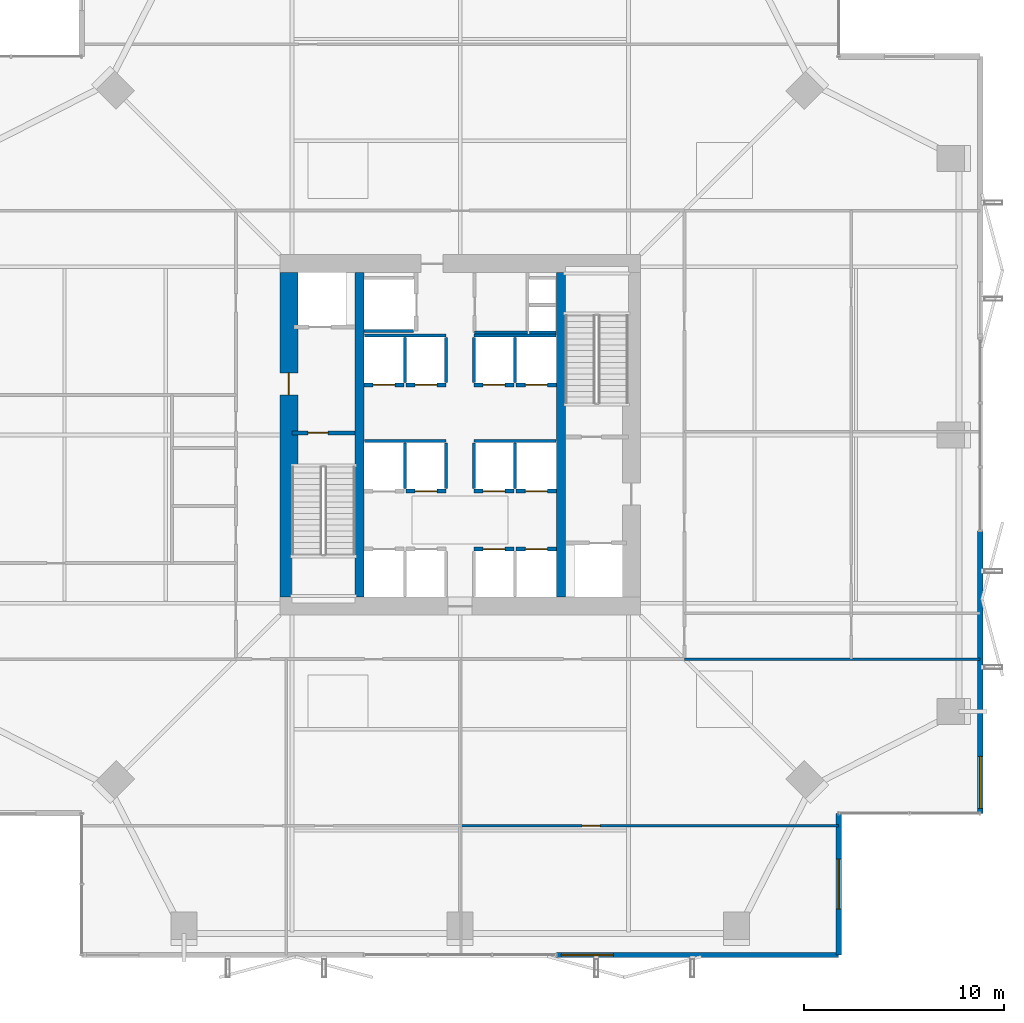
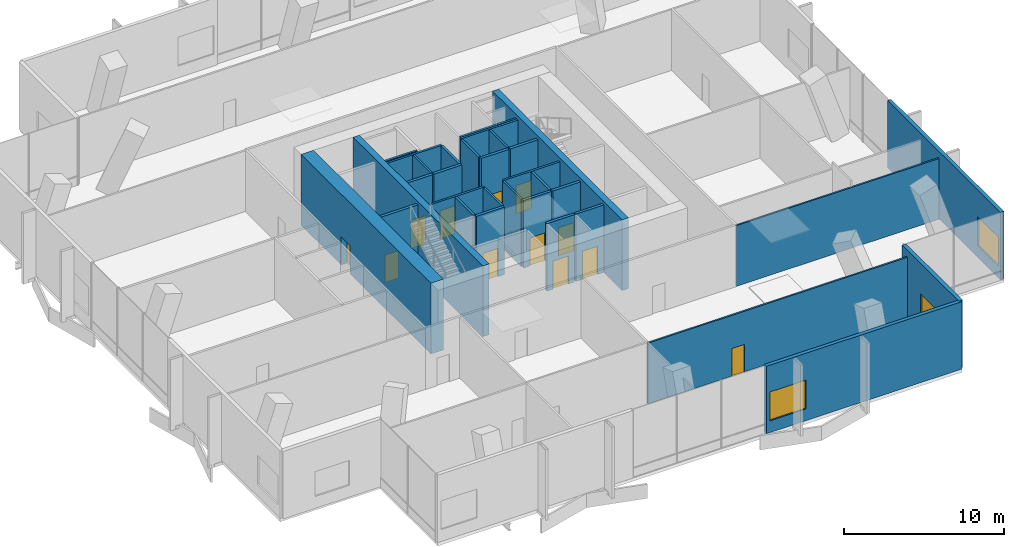
# One storey, part 25 of 28: 33 walls, 12 doors, 3 windows, 15 openings.
"""IFC4 building model written with IfcOpenShell, lengths in metres."""

from ifc_helpers import new_model, si_unit, direction, frame, frame_2d, origin, place, context, subcontext, project, spatial, rectangle, extrude, material, layer, layer_set, type_object, element, fill, save


model = new_model("IFC4")

# Units and contexts
model_context = context("Model", 3, precision=1e-05, world=origin(), true_north=direction((0.0, 1.0)))
body_context = subcontext(model_context, "Body", "Model", "MODEL_VIEW")
ifc_project = project(units=[si_unit("LENGTHUNIT", "METRE"), si_unit("AREAUNIT", "SQUARE_METRE"), si_unit("VOLUMEUNIT", "CUBIC_METRE"), si_unit("PLANEANGLEUNIT", "RADIAN"), si_unit("MASSUNIT", "GRAM", prefix="KILO")], contexts=[model_context])

# Site, building, storey
site_placement = place(None, origin())
site = spatial("IfcSite", under=ifc_project, at=site_placement, CompositionType="ELEMENT")
building_placement = place(site_placement, origin())
building = spatial("IfcBuilding", under=site, at=building_placement, Name="Belovzor Exchange Tower", CompositionType="ELEMENT")
storey_placement = place(building_placement, frame((0.0, 0.0, 132.89990234375)))
storey = spatial("IfcBuildingStorey", under=building, at=storey_placement, Name="L32", CompositionType="ELEMENT", Elevation=132.89990234375)

# Wall, opening, door
ifc_material_1 = material(Name="Acoustic Plasterboard on Galvanised Studs", Category="gypsum")
ifc_layer_1 = layer(ifc_material_1, 0.1201171875)
ifc_layer_set_1 = layer_set([ifc_layer_1], Name="Acoustic Plasterboard on Galvanised Studs")
wall_type_1 = type_object("IfcWallType", Name="Acoustic Double-Stud Partition Wall 120", PredefinedType="PARTITIONING", material=ifc_layer_set_1)
wall_1_placement = place(storey_placement, frame((28.839111328125, 9.280029296875, 0.0), z_axis=(0.0, 0.0, 1.0), x_axis=(1.0, 0.0, 0.0)))
wall_1 = element("IfcWall", 1, at=wall_1_placement, inside=storey, type_object=wall_type_1, Name="W-P120 Partition Wall W-L32-SHDIV-2", PredefinedType="PARTITIONING", context=body_context, shape_type="SweptSolid", body=[
    extrude(rectangle(XDim=18.86083984375, YDim=0.1201171875, at=frame_2d((9.430419921875, 0.0))), origin(), (0.0, 0.0, 1.0), 4.630126953125),
])
opening_1_placement = place(wall_1_placement, frame((6.053955078125, 0.0, 0.0)))
opening_1 = element("IfcOpeningElement", 2, at=opening_1_placement, cuts=wall_1, Name="Opening D-INT-090", PredefinedType="OPENING", context=body_context, shape_type="SweptSolid", body=[
    extrude(rectangle(XDim=0.89990234375, YDim=2.10009765625, at=frame_2d((0.449951171875, 1.050048828125))), frame((0.0, 0.070068359375, 0.0), z_axis=(0.0, -1.0, 0.0), x_axis=(1.0, 0.0, 0.0)), (0.0, 0.0, 1.0), 0.14013671875),
])
ifc_material_2 = material(Name="Veneered Hardwood Acoustic Leaf", Category="wood")
door_type_1 = type_object("IfcDoorType", Name="Trading Suite Acoustic Single Door 900x2100", OperationType="NOTDEFINED", PredefinedType="DOOR", material=ifc_material_2)
door_1_placement = place(opening_1_placement, origin())
door_1 = element("IfcDoor", 3, at=door_1_placement, inside=storey, type_object=door_type_1, Name="D-INT-090 Trading Suite Acoustic Single Door 900x2100", OperationType="SINGLE_SWING_LEFT", OverallHeight=2.10009765625, OverallWidth=0.89990234375, PredefinedType="DOOR", context=body_context, shape_type="SweptSolid", body=[
    extrude(rectangle(XDim=0.89990234375, YDim=2.10009765625, at=frame_2d((0.449951171875, 1.050048828125))), frame((0.0, 0.02490234375, 0.0), z_axis=(0.0, -1.0, 0.0), x_axis=(1.0, 0.0, 0.0)), (0.0, 0.0, 1.0), 0.050048828125),
])
fill(opening_1, door_1)

# Walls
wall_2_placement = place(storey_placement, frame((40.0, 17.60009765625, 0.0), z_axis=(0.0, 0.0, 1.0), x_axis=(1.0, 0.0, 0.0)))
element("IfcWall", 4, at=wall_2_placement, inside=storey, type_object=wall_type_1, Name="W-P120 Partition Wall W-L32-END-SE", PredefinedType="PARTITIONING", context=body_context, shape_type="SweptSolid", body=[
    extrude(rectangle(XDim=14.77001953125, YDim=0.1201171875, at=frame_2d((7.385009765625, 0.0))), origin(), (0.0, 0.0, 1.0), 4.630126953125),
])
ifc_material_3 = material(Name="Fire-Rated Gypsum Block and Mineral Wool", Category="gypsum")
ifc_layer_2 = layer(ifc_material_3, 0.14990234375)
ifc_layer_set_2 = layer_set([ifc_layer_2], Name="Fire-Rated Gypsum Block and Mineral Wool")
wall_type_2 = type_object("IfcWallType", Name="Fire-Rated Gypsum Block Corridor Wall 150", PredefinedType="PARTITIONING", material=ifc_layer_set_2)
wall_3_placement = place(storey_placement, frame((29.52490234375, 33.925048828125, 0.0), z_axis=(0.0, 0.0, 1.0), x_axis=(1.0, 0.0, 0.0)))
element("IfcWall", 5, at=wall_3_placement, inside=storey, type_object=wall_type_2, Name="W-P150 Partition Wall W-CRV-L32-S", PredefinedType="PARTITIONING", context=body_context, shape_type="SweptSolid", body=[
    extrude(rectangle(XDim=2.625, YDim=0.14990234375, at=frame_2d((1.3125, 0.0))), origin(), (0.0, 0.0, 1.0), 5.14501953125),
])

# Wall, opening, window
ifc_material_4 = material(Name="Precast concrete C40/50", Category="concrete")
ifc_layer_3 = layer(ifc_material_4, 0.280029296875)
ifc_layer_set_3 = layer_set([ifc_layer_3], Name="Precast concrete C40/50")
wall_type_3 = type_object("IfcWallType", Name="Precast Concrete Notched Corner Frame Wall 280", PredefinedType="SOLIDWALL", material=ifc_layer_set_3)
wall_4_placement = place(storey_placement, frame((47.699951171875, 9.89990234375, 0.0), z_axis=(0.0, 0.0, 1.0), x_axis=(0.0, -1.0, 0.0)))
wall_4 = element("IfcWall", 6, at=wall_4_placement, inside=storey, type_object=wall_type_3, Name="W-CRN280 Precast Concrete Notched Corner Frame Wall 280 L32", PredefinedType="SOLIDWALL", context=body_context, shape_type="SweptSolid", body=[
    extrude(rectangle(XDim=7.06982421875, YDim=0.280029296875, at=frame_2d((3.534912109375, 0.0))), origin(), (0.0, 0.0, 1.0), 5.14501953125),
])
opening_2_placement = place(wall_4_placement, frame((2.284912109375, 0.0, 0.89990234375)))
opening_2 = element("IfcOpeningElement", 7, at=opening_2_placement, cuts=wall_4, Name="Opening WN-CRN250", PredefinedType="OPENING", context=body_context, shape_type="SweptSolid", body=[
    extrude(rectangle(XDim=2.5, YDim=1.89990234375, at=frame_2d((1.25, 0.949951171875))), frame((0.0, 0.14990234375, 0.0), z_axis=(0.0, -1.0, 0.0), x_axis=(1.0, 0.0, 0.0)), (0.0, 0.0, 1.0), 0.300048828125),
])
ifc_material_5 = material(Name="Thermally Broken Aluminium and Triple Glazing", Category="aluminium")
window_type_1 = type_object("IfcWindowType", Name="Streamline Moderne Corner Wrap Ribbon Window 2500x1900", PartitioningType="SINGLE_PANEL", PredefinedType="WINDOW", material=ifc_material_5)
window_1_placement = place(opening_2_placement, origin())
window_1 = element("IfcWindow", 8, at=window_1_placement, inside=storey, type_object=window_type_1, Name="WN-CRN250 Streamline Moderne Corner Wrap Ribbon Window 2500x1900", OverallHeight=1.89990234375, OverallWidth=2.5, PartitioningType="SINGLE_PANEL", PredefinedType="WINDOW", context=body_context, shape_type="SweptSolid", body=[
    extrude(rectangle(XDim=2.5, YDim=1.89990234375, at=frame_2d((1.25, 0.949951171875))), frame((0.0, 0.030029296875, 0.0), z_axis=(0.0, -1.0, 0.0), x_axis=(1.0, 0.0, 0.0)), (0.0, 0.0, 1.0), 0.06005859375),
])
fill(opening_2, window_1)

ifc_material_6 = material(Name="Precast concrete C40/50", Category="concrete")
ifc_layer_4 = layer(ifc_material_6, 0.260009765625)
ifc_layer_set_4 = layer_set([ifc_layer_4], Name="Precast concrete C40/50")
wall_type_4 = type_object("IfcWallType", Name="Precast Concrete Perimeter Loggia Frame Wall 260", PredefinedType="SOLIDWALL", material=ifc_layer_set_4)
wall_5_placement = place(storey_placement, frame((47.699951171875, 2.830078125, 0.0), z_axis=(0.0, 0.0, 1.0), x_axis=(-1.0, 0.0, 0.0)))
wall_5 = element("IfcWall", 9, at=wall_5_placement, inside=storey, type_object=wall_type_4, Name="W-EXT260 Precast Concrete Perimeter Loggia Frame Wall 260 L32", PredefinedType="SOLIDWALL", context=body_context, shape_type="SweptSolid", body=[
    extrude(rectangle(XDim=14.099853515625, YDim=0.260009765625, at=frame_2d((7.0498046875, 0.0))), origin(), (0.0, 0.0, 1.0), 5.14501953125),
])
opening_3_placement = place(wall_5_placement, frame((11.25, 0.0, 0.89990234375)))
opening_3 = element("IfcOpeningElement", 10, at=opening_3_placement, cuts=wall_5, Name="Opening WN-LOG260", PredefinedType="OPENING", context=body_context, shape_type="SweptSolid", body=[
    extrude(rectangle(XDim=2.60009765625, YDim=2.199951171875, at=frame_2d((1.300048828125, 1.10009765625))), frame((0.0, 0.139892578125, 0.0), z_axis=(0.0, -1.0, 0.0), x_axis=(1.0, 0.0, 0.0)), (0.0, 0.0, 1.0), 0.280029296875),
])
ifc_material_7 = material(Name="Thermally Broken Aluminium and Triple Glazing", Category="aluminium")
window_type_2 = type_object("IfcWindowType", Name="Sky-Lobby Panoramic Window 2600x2200", PartitioningType="SINGLE_PANEL", PredefinedType="WINDOW", material=ifc_material_7)
window_2_placement = place(opening_3_placement, origin())
window_2 = element("IfcWindow", 11, at=window_2_placement, inside=storey, type_object=window_type_2, Name="WN-LOG260 Sky-Lobby Panoramic Window 2600x2200", OverallHeight=2.199951171875, OverallWidth=2.60009765625, PartitioningType="SINGLE_PANEL", PredefinedType="WINDOW", context=body_context, shape_type="SweptSolid", body=[
    extrude(rectangle(XDim=2.60009765625, YDim=2.199951171875, at=frame_2d((1.300048828125, 1.10009765625))), frame((0.0, 0.030029296875, 0.0), z_axis=(0.0, -1.0, 0.0), x_axis=(1.0, 0.0, 0.0)), (0.0, 0.0, 1.0), 0.06005859375),
])
fill(opening_3, window_2)

wall_6_placement = place(storey_placement, frame((54.77001953125, 24.0, 0.0), z_axis=(0.0, 0.0, 1.0), x_axis=(0.0, -1.0, 0.0)))
wall_6 = element("IfcWall", 12, at=wall_6_placement, inside=storey, type_object=wall_type_4, Name="W-EXT260 Precast Concrete Perimeter Loggia Frame Wall 260 L32", PredefinedType="SOLIDWALL", context=body_context, shape_type="SweptSolid", body=[
    extrude(rectangle(XDim=14.10009765625, YDim=0.260009765625, at=frame_2d((7.050048828125, 0.0))), origin(), (0.0, 0.0, 1.0), 5.14501953125),
])
opening_4_placement = place(wall_6_placement, frame((11.25, 0.0, 0.89990234375)))
opening_4 = element("IfcOpeningElement", 13, at=opening_4_placement, cuts=wall_6, Name="Opening WN-LOG260", PredefinedType="OPENING", context=body_context, shape_type="SweptSolid", body=[
    extrude(rectangle(XDim=2.60009765625, YDim=2.199951171875, at=frame_2d((1.300048828125, 1.10009765625))), frame((0.0, 0.139892578125, 0.0), z_axis=(0.0, -1.0, 0.0), x_axis=(1.0, 0.0, 0.0)), (0.0, 0.0, 1.0), 0.280029296875),
])
window_3_placement = place(opening_4_placement, origin())
window_3 = element("IfcWindow", 14, at=window_3_placement, inside=storey, type_object=window_type_2, Name="WN-LOG260 Sky-Lobby Panoramic Window 2600x2200", OverallHeight=2.199951171875, OverallWidth=2.60009765625, PartitioningType="SINGLE_PANEL", PredefinedType="WINDOW", context=body_context, shape_type="SweptSolid", body=[
    extrude(rectangle(XDim=2.60009765625, YDim=2.199951171875, at=frame_2d((1.300048828125, 1.10009765625))), frame((0.0, 0.030029296875, 0.0), z_axis=(0.0, -1.0, 0.0), x_axis=(1.0, 0.0, 0.0)), (0.0, 0.0, 1.0), 0.06005859375),
])
fill(opening_4, window_3)

# Walls
ifc_material_8 = material(Name="Concrete C50/60", Category="concrete")
ifc_layer_5 = layer(ifc_material_8, 0.449951171875)
ifc_layer_set_5 = layer_set([ifc_layer_5], Name="Concrete C50/60")
wall_type_5 = type_object("IfcWallType", Name="Reinforced Concrete Core Internal Web Wall 450", PredefinedType="SHEAR", material=ifc_layer_set_5)
for number, where, z_axis, x_axis, name in (
    (15, (23.77490234375, 20.699951171875, 0.0), (0.0, 0.0, 1.0), (0.0, 1.0, 0.0), "CW-W045 Core Internal Web Wall L32 WL"),
    (16, (33.824951171875, 20.699951171875, 0.0), (0.0, 0.0, 1.0), (0.0, 1.0, 0.0), "CW-W045 Core Internal Web Wall L32 ER"),
):
    element("IfcWall", number, at=place(storey_placement, frame(where, z_axis=z_axis, x_axis=x_axis)), inside=storey, type_object=wall_type_5, Name=name, PredefinedType="SHEAR", context=body_context, shape_type="SweptSolid", body=[
        extrude(rectangle(XDim=16.199951171875, YDim=0.449951171875, at=frame_2d((8.10009765625, 0.0))), origin(), (0.0, 0.0, 1.0), 5.400146484375),
    ])
ifc_material_9 = material(Name="Concrete C50/60", Category="concrete")
ifc_layer_6 = layer(ifc_material_9, 0.14990234375)
ifc_layer_set_6 = layer_set([ifc_layer_6], Name="Concrete C50/60")
wall_type_6 = type_object("IfcWallType", Name="Reinforced Concrete Core Riser Shear Wall 150", PredefinedType="SHEAR", material=ifc_layer_set_6)
wall_7_placement = place(storey_placement, frame((32.25, 33.925048828125, 0.0), z_axis=(0.0, 0.0, 1.0), x_axis=(1.0, 0.0, 0.0)))
element("IfcWall", 17, at=wall_7_placement, inside=storey, type_object=wall_type_6, Name="W-C150S Core Shaft Wall W-RSR-L32-S", PredefinedType="SHEAR", context=body_context, shape_type="SweptSolid", body=[
    extrude(rectangle(XDim=1.330078125, YDim=0.14990234375, at=frame_2d((0.6650390625, 0.0))), origin(), (0.0, 0.0, 1.0), 5.14501953125),
])
wall_8_placement = place(storey_placement, frame((24.0, 34.0, 0.0), z_axis=(0.0, 0.0, 1.0), x_axis=(1.0, 0.0, 0.0)))
element("IfcWall", 18, at=wall_8_placement, inside=storey, type_object=wall_type_6, Name="W-C150S Core Shaft Wall W-SH-L32-SL-01S", PredefinedType="SHEAR", context=body_context, shape_type="SweptSolid", body=[
    extrude(rectangle(XDim=2.47998046875, YDim=0.14990234375, at=frame_2d((1.239990234375, 0.0))), origin(), (0.0, 0.0, 1.0), 5.14501953125),
])
for number, where, z_axis, x_axis, name in (
    (19, (24.02001953125, 28.5, 0.0), (0.0, 0.0, 1.0), (1.0, 0.0, 0.0), "W-C150S Core Shaft Wall W-SHB-L32-PLM-NW"),
    (20, (29.5, 28.5, 0.0), (0.0, 0.0, 1.0), (1.0, 0.0, 0.0), "W-C150S Core Shaft Wall W-SHB-L32-PLM-NE"),
):
    element("IfcWall", number, at=place(storey_placement, frame(where, z_axis=z_axis, x_axis=x_axis)), inside=storey, type_object=wall_type_6, Name=name, PredefinedType="SHEAR", context=body_context, shape_type="SweptSolid", body=[
        extrude(rectangle(XDim=4.080078125, YDim=0.14990234375, at=frame_2d((2.0400390625, 0.0))), origin(), (0.0, 0.0, 1.0), 5.14501953125),
    ])
for number, where, z_axis, x_axis, name in (
    (21, (26.050048828125, 26.1201171875, 0.0), (0.0, 0.0, 1.0), (0.0, 1.0, 0.0), "W-C150S Core Shaft Wall W-SHD-L32-PLM-1"),
    (22, (28.10009765625, 26.1201171875, 0.0), (0.0, 0.0, 1.0), (0.0, 1.0, 0.0), "W-C150S Core Shaft Wall W-SHD-L32-PLM-2"),
    (23, (29.5, 26.1201171875, 0.0), (0.0, 0.0, 1.0), (0.0, 1.0, 0.0), "W-C150S Core Shaft Wall W-SHD-L32-PLM-3"),
    (24, (31.550048828125, 26.1201171875, 0.0), (0.0, 0.0, 1.0), (0.0, 1.0, 0.0), "W-C150S Core Shaft Wall W-SHD-L32-PLM-4"),
):
    element("IfcWall", number, at=place(storey_placement, frame(where, z_axis=z_axis, x_axis=x_axis)), inside=storey, type_object=wall_type_6, Name=name, PredefinedType="SHEAR", context=body_context, shape_type="SweptSolid", body=[
        extrude(rectangle(XDim=2.27978515625, YDim=0.14990234375, at=frame_2d((1.139892578125, 0.0))), origin(), (0.0, 0.0, 1.0), 5.14501953125),
    ])
for number, where, z_axis, x_axis, name in (
    (25, (24.02001953125, 33.760009765625, 0.0), (0.0, 0.0, 1.0), (1.0, 0.0, 0.0), "W-C150S Core Shaft Wall W-SHB-L32-PLH-NW"),
    (26, (29.5, 33.760009765625, 0.0), (0.0, 0.0, 1.0), (1.0, 0.0, 0.0), "W-C150S Core Shaft Wall W-SHB-L32-PLH-NE"),
):
    element("IfcWall", number, at=place(storey_placement, frame(where, z_axis=z_axis, x_axis=x_axis)), inside=storey, type_object=wall_type_6, Name=name, PredefinedType="SHEAR", context=body_context, shape_type="SweptSolid", body=[
        extrude(rectangle(XDim=4.080078125, YDim=0.14990234375, at=frame_2d((2.0400390625, 0.0))), origin(), (0.0, 0.0, 1.0), 5.14501953125),
    ])
for number, where, z_axis, x_axis, name in (
    (27, (26.050048828125, 31.419921875, 0.0), (0.0, 0.0, 1.0), (0.0, 1.0, 0.0), "W-C150S Core Shaft Wall W-SHD-L32-PLH-1"),
    (28, (28.10009765625, 31.419921875, 0.0), (0.0, 0.0, 1.0), (0.0, 1.0, 0.0), "W-C150S Core Shaft Wall W-SHD-L32-PLH-2"),
    (29, (29.5, 31.419921875, 0.0), (0.0, 0.0, 1.0), (0.0, 1.0, 0.0), "W-C150S Core Shaft Wall W-SHD-L32-PLH-3"),
    (30, (31.550048828125, 31.419921875, 0.0), (0.0, 0.0, 1.0), (0.0, 1.0, 0.0), "W-C150S Core Shaft Wall W-SHD-L32-PLH-4"),
):
    element("IfcWall", number, at=place(storey_placement, frame(where, z_axis=z_axis, x_axis=x_axis)), inside=storey, type_object=wall_type_6, Name=name, PredefinedType="SHEAR", context=body_context, shape_type="SweptSolid", body=[
        extrude(rectangle(XDim=2.239990234375, YDim=0.14990234375, at=frame_2d((1.1201171875, 0.0))), origin(), (0.0, 0.0, 1.0), 5.14501953125),
    ])

# Wall, opening, door
ifc_material_10 = material(Name="Concrete C50/60", Category="concrete")
ifc_layer_7 = layer(ifc_material_10, 0.199951171875)
ifc_layer_set_7 = layer_set([ifc_layer_7], Name="Concrete C50/60")
wall_type_7 = type_object("IfcWallType", Name="Reinforced Concrete Core Shaft Shear Wall 200", PredefinedType="SHEAR", material=ifc_layer_set_7)
wall_9_placement = place(storey_placement, frame((20.39990234375, 28.89990234375, 0.0), z_axis=(0.0, 0.0, 1.0), x_axis=(1.0, 0.0, 0.0)))
wall_9 = element("IfcWall", 31, at=wall_9_placement, inside=storey, type_object=wall_type_7, Name="W-C200S Core Shaft Wall W-CORE-L32-FFLW1", PredefinedType="SHEAR", context=body_context, shape_type="SweptSolid", body=[
    extrude(rectangle(XDim=3.150146484375, YDim=0.199951171875, at=frame_2d((1.5751953125, 0.0))), origin(), (0.0, 0.0, 1.0), 5.14501953125),
])
opening_5_placement = place(wall_9_placement, frame((0.800048828125, 0.0, 0.0)))
opening_5 = element("IfcOpeningElement", 32, at=opening_5_placement, cuts=wall_9, Name="Opening D-FD90-100", PredefinedType="OPENING", context=body_context, shape_type="SweptSolid", body=[
    extrude(rectangle(XDim=1.0, YDim=2.10009765625, at=frame_2d((0.5, 1.050048828125))), frame((0.0, 0.10986328125, 0.0), z_axis=(0.0, -1.0, 0.0), x_axis=(1.0, 0.0, 0.0)), (0.0, 0.0, 1.0), 0.219970703125),
])
ifc_material_11 = material(Name="Fire-Rated Galvanised Steel Leaf", Category="steel")
door_type_2 = type_object("IfcDoorType", Name="Protected Stairwell Single Fire Door 1000x2100", OperationType="NOTDEFINED", PredefinedType="DOOR", material=ifc_material_11)
door_2_placement = place(opening_5_placement, origin())
door_2 = element("IfcDoor", 33, at=door_2_placement, inside=storey, type_object=door_type_2, Name="D-FD90-100 Protected Stairwell Single Fire Door 1000x2100", OperationType="SINGLE_SWING_RIGHT", OverallHeight=2.10009765625, OverallWidth=1.0, PredefinedType="DOOR", context=body_context, shape_type="SweptSolid", body=[
    extrude(rectangle(XDim=1.0, YDim=2.10009765625, at=frame_2d((0.5, 1.050048828125))), frame((0.0, 0.02490234375, 0.0), z_axis=(0.0, -1.0, 0.0), x_axis=(1.0, 0.0, 0.0)), (0.0, 0.0, 1.0), 0.050048828125),
])
fill(opening_5, door_2)

wall_10_placement = place(storey_placement, frame((29.5, 23.10009765625, 0.0), z_axis=(0.0, 0.0, 1.0), x_axis=(1.0, 0.0, 0.0)))
wall_10 = element("IfcWall", 34, at=wall_10_placement, inside=storey, type_object=wall_type_7, Name="W-C200S Core Shaft Wall W-SH-L32-PL-L3", PredefinedType="SHEAR", context=body_context, shape_type="SweptSolid", body=[
    extrude(rectangle(XDim=2.0, YDim=0.199951171875, at=frame_2d((1.0, 0.0))), origin(), (0.0, 0.0, 1.0), 5.14501953125),
])
opening_6_placement = place(wall_10_placement, frame((0.449951171875, 0.0, 0.0)))
opening_6 = element("IfcOpeningElement", 35, at=opening_6_placement, cuts=wall_10, Name="Opening LD-110", PredefinedType="OPENING", context=body_context, shape_type="SweptSolid", body=[
    extrude(rectangle(XDim=1.10009765625, YDim=2.14990234375, at=frame_2d((0.550048828125, 1.074951171875))), frame((0.0, 0.10986328125, 0.0), z_axis=(0.0, -1.0, 0.0), x_axis=(1.0, 0.0, 0.0)), (0.0, 0.0, 1.0), 0.219970703125),
])
ifc_material_12 = material(Name="Stainless Steel Grade 304", Category="steel")
door_type_3 = type_object("IfcDoorType", Name="Automated Stainless Steel Lift Landing Door 1100x2150", OperationType="SLIDING_TO_RIGHT", PredefinedType="DOOR", material=ifc_material_12)
door_3_placement = place(opening_6_placement, origin())
door_3 = element("IfcDoor", 36, at=door_3_placement, inside=storey, type_object=door_type_3, Name="LD-110 Automated Stainless Steel Lift Landing Door 1100x2150", OperationType="SLIDING_TO_RIGHT", OverallHeight=2.14990234375, OverallWidth=1.10009765625, PredefinedType="DOOR", context=body_context, shape_type="SweptSolid", body=[
    extrude(rectangle(XDim=1.10009765625, YDim=2.14990234375, at=frame_2d((0.550048828125, 1.074951171875))), frame((0.0, 0.02490234375, 0.0), z_axis=(0.0, -1.0, 0.0), x_axis=(1.0, 0.0, 0.0)), (0.0, 0.0, 1.0), 0.050048828125),
])
fill(opening_6, door_3)

wall_11_placement = place(storey_placement, frame((31.60009765625, 23.10009765625, 0.0), z_axis=(0.0, 0.0, 1.0), x_axis=(1.0, 0.0, 0.0)))
wall_11 = element("IfcWall", 37, at=wall_11_placement, inside=storey, type_object=wall_type_7, Name="W-C200S Core Shaft Wall W-SH-L32-PL-L4", PredefinedType="SHEAR", context=body_context, shape_type="SweptSolid", body=[
    extrude(rectangle(XDim=2.0, YDim=0.199951171875, at=frame_2d((1.0, 0.0))), origin(), (0.0, 0.0, 1.0), 5.14501953125),
])
opening_7_placement = place(wall_11_placement, frame((0.449951171875, 0.0, 0.0)))
opening_7 = element("IfcOpeningElement", 38, at=opening_7_placement, cuts=wall_11, Name="Opening LD-110", PredefinedType="OPENING", context=body_context, shape_type="SweptSolid", body=[
    extrude(rectangle(XDim=1.10009765625, YDim=2.14990234375, at=frame_2d((0.550048828125, 1.074951171875))), frame((0.0, 0.10986328125, 0.0), z_axis=(0.0, -1.0, 0.0), x_axis=(1.0, 0.0, 0.0)), (0.0, 0.0, 1.0), 0.219970703125),
])
door_4_placement = place(opening_7_placement, origin())
door_4 = element("IfcDoor", 39, at=door_4_placement, inside=storey, type_object=door_type_3, Name="LD-110 Automated Stainless Steel Lift Landing Door 1100x2150", OperationType="SLIDING_TO_RIGHT", OverallHeight=2.14990234375, OverallWidth=1.10009765625, PredefinedType="DOOR", context=body_context, shape_type="SweptSolid", body=[
    extrude(rectangle(XDim=1.10009765625, YDim=2.14990234375, at=frame_2d((0.550048828125, 1.074951171875))), frame((0.0, 0.02490234375, 0.0), z_axis=(0.0, -1.0, 0.0), x_axis=(1.0, 0.0, 0.0)), (0.0, 0.0, 1.0), 0.050048828125),
])
fill(opening_7, door_4)

wall_12_placement = place(storey_placement, frame((26.10009765625, 26.0, 0.0), z_axis=(0.0, 0.0, 1.0), x_axis=(1.0, 0.0, 0.0)))
wall_12 = element("IfcWall", 40, at=wall_12_placement, inside=storey, type_object=wall_type_7, Name="W-C200S Core Shaft Wall W-SH-L32-PL-M2", PredefinedType="SHEAR", context=body_context, shape_type="SweptSolid", body=[
    extrude(rectangle(XDim=2.0, YDim=0.199951171875, at=frame_2d((1.0, 0.0))), origin(), (0.0, 0.0, 1.0), 5.14501953125),
])
opening_8_placement = place(wall_12_placement, frame((0.449951171875, 0.0, 0.0)))
opening_8 = element("IfcOpeningElement", 41, at=opening_8_placement, cuts=wall_12, Name="Opening LD-110", PredefinedType="OPENING", context=body_context, shape_type="SweptSolid", body=[
    extrude(rectangle(XDim=1.10009765625, YDim=2.14990234375, at=frame_2d((0.550048828125, 1.074951171875))), frame((0.0, 0.10986328125, 0.0), z_axis=(0.0, -1.0, 0.0), x_axis=(1.0, 0.0, 0.0)), (0.0, 0.0, 1.0), 0.219970703125),
])
door_5_placement = place(opening_8_placement, origin())
door_5 = element("IfcDoor", 42, at=door_5_placement, inside=storey, type_object=door_type_3, Name="LD-110 Automated Stainless Steel Lift Landing Door 1100x2150", OperationType="SLIDING_TO_RIGHT", OverallHeight=2.14990234375, OverallWidth=1.10009765625, PredefinedType="DOOR", context=body_context, shape_type="SweptSolid", body=[
    extrude(rectangle(XDim=1.10009765625, YDim=2.14990234375, at=frame_2d((0.550048828125, 1.074951171875))), frame((0.0, 0.02490234375, 0.0), z_axis=(0.0, -1.0, 0.0), x_axis=(1.0, 0.0, 0.0)), (0.0, 0.0, 1.0), 0.050048828125),
])
fill(opening_8, door_5)

wall_13_placement = place(storey_placement, frame((29.5, 26.0, 0.0), z_axis=(0.0, 0.0, 1.0), x_axis=(1.0, 0.0, 0.0)))
wall_13 = element("IfcWall", 43, at=wall_13_placement, inside=storey, type_object=wall_type_7, Name="W-C200S Core Shaft Wall W-SH-L32-PL-M3", PredefinedType="SHEAR", context=body_context, shape_type="SweptSolid", body=[
    extrude(rectangle(XDim=2.0, YDim=0.199951171875, at=frame_2d((1.0, 0.0))), origin(), (0.0, 0.0, 1.0), 5.14501953125),
])
opening_9_placement = place(wall_13_placement, frame((0.449951171875, 0.0, 0.0)))
opening_9 = element("IfcOpeningElement", 44, at=opening_9_placement, cuts=wall_13, Name="Opening LD-110", PredefinedType="OPENING", context=body_context, shape_type="SweptSolid", body=[
    extrude(rectangle(XDim=1.10009765625, YDim=2.14990234375, at=frame_2d((0.550048828125, 1.074951171875))), frame((0.0, 0.10986328125, 0.0), z_axis=(0.0, -1.0, 0.0), x_axis=(1.0, 0.0, 0.0)), (0.0, 0.0, 1.0), 0.219970703125),
])
door_6_placement = place(opening_9_placement, origin())
door_6 = element("IfcDoor", 45, at=door_6_placement, inside=storey, type_object=door_type_3, Name="LD-110 Automated Stainless Steel Lift Landing Door 1100x2150", OperationType="SLIDING_TO_RIGHT", OverallHeight=2.14990234375, OverallWidth=1.10009765625, PredefinedType="DOOR", context=body_context, shape_type="SweptSolid", body=[
    extrude(rectangle(XDim=1.10009765625, YDim=2.14990234375, at=frame_2d((0.550048828125, 1.074951171875))), frame((0.0, 0.02490234375, 0.0), z_axis=(0.0, -1.0, 0.0), x_axis=(1.0, 0.0, 0.0)), (0.0, 0.0, 1.0), 0.050048828125),
])
fill(opening_9, door_6)

wall_14_placement = place(storey_placement, frame((31.60009765625, 26.0, 0.0), z_axis=(0.0, 0.0, 1.0), x_axis=(1.0, 0.0, 0.0)))
wall_14 = element("IfcWall", 46, at=wall_14_placement, inside=storey, type_object=wall_type_7, Name="W-C200S Core Shaft Wall W-SH-L32-PL-M4", PredefinedType="SHEAR", context=body_context, shape_type="SweptSolid", body=[
    extrude(rectangle(XDim=2.0, YDim=0.199951171875, at=frame_2d((1.0, 0.0))), origin(), (0.0, 0.0, 1.0), 5.14501953125),
])
opening_10_placement = place(wall_14_placement, frame((0.449951171875, 0.0, 0.0)))
opening_10 = element("IfcOpeningElement", 47, at=opening_10_placement, cuts=wall_14, Name="Opening LD-110", PredefinedType="OPENING", context=body_context, shape_type="SweptSolid", body=[
    extrude(rectangle(XDim=1.10009765625, YDim=2.14990234375, at=frame_2d((0.550048828125, 1.074951171875))), frame((0.0, 0.10986328125, 0.0), z_axis=(0.0, -1.0, 0.0), x_axis=(1.0, 0.0, 0.0)), (0.0, 0.0, 1.0), 0.219970703125),
])
door_7_placement = place(opening_10_placement, origin())
door_7 = element("IfcDoor", 48, at=door_7_placement, inside=storey, type_object=door_type_3, Name="LD-110 Automated Stainless Steel Lift Landing Door 1100x2150", OperationType="SLIDING_TO_RIGHT", OverallHeight=2.14990234375, OverallWidth=1.10009765625, PredefinedType="DOOR", context=body_context, shape_type="SweptSolid", body=[
    extrude(rectangle(XDim=1.10009765625, YDim=2.14990234375, at=frame_2d((0.550048828125, 1.074951171875))), frame((0.0, 0.02490234375, 0.0), z_axis=(0.0, -1.0, 0.0), x_axis=(1.0, 0.0, 0.0)), (0.0, 0.0, 1.0), 0.050048828125),
])
fill(opening_10, door_7)

wall_15_placement = place(storey_placement, frame((24.0, 31.300048828125, 0.0), z_axis=(0.0, 0.0, 1.0), x_axis=(1.0, 0.0, 0.0)))
wall_15 = element("IfcWall", 49, at=wall_15_placement, inside=storey, type_object=wall_type_7, Name="W-C200S Core Shaft Wall W-SH-L32-PL-H1", PredefinedType="SHEAR", context=body_context, shape_type="SweptSolid", body=[
    extrude(rectangle(XDim=2.0, YDim=0.199951171875, at=frame_2d((1.0, 0.0))), origin(), (0.0, 0.0, 1.0), 5.14501953125),
])
opening_11_placement = place(wall_15_placement, frame((0.449951171875, 0.0, 0.0)))
opening_11 = element("IfcOpeningElement", 50, at=opening_11_placement, cuts=wall_15, Name="Opening LD-110", PredefinedType="OPENING", context=body_context, shape_type="SweptSolid", body=[
    extrude(rectangle(XDim=1.10009765625, YDim=2.14990234375, at=frame_2d((0.550048828125, 1.074951171875))), frame((0.0, 0.10986328125, 0.0), z_axis=(0.0, -1.0, 0.0), x_axis=(1.0, 0.0, 0.0)), (0.0, 0.0, 1.0), 0.219970703125),
])
door_8_placement = place(opening_11_placement, origin())
door_8 = element("IfcDoor", 51, at=door_8_placement, inside=storey, type_object=door_type_3, Name="LD-110 Automated Stainless Steel Lift Landing Door 1100x2150", OperationType="SLIDING_TO_RIGHT", OverallHeight=2.14990234375, OverallWidth=1.10009765625, PredefinedType="DOOR", context=body_context, shape_type="SweptSolid", body=[
    extrude(rectangle(XDim=1.10009765625, YDim=2.14990234375, at=frame_2d((0.550048828125, 1.074951171875))), frame((0.0, 0.02490234375, 0.0), z_axis=(0.0, -1.0, 0.0), x_axis=(1.0, 0.0, 0.0)), (0.0, 0.0, 1.0), 0.050048828125),
])
fill(opening_11, door_8)

wall_16_placement = place(storey_placement, frame((26.10009765625, 31.300048828125, 0.0), z_axis=(0.0, 0.0, 1.0), x_axis=(1.0, 0.0, 0.0)))
wall_16 = element("IfcWall", 52, at=wall_16_placement, inside=storey, type_object=wall_type_7, Name="W-C200S Core Shaft Wall W-SH-L32-PL-H2", PredefinedType="SHEAR", context=body_context, shape_type="SweptSolid", body=[
    extrude(rectangle(XDim=2.0, YDim=0.199951171875, at=frame_2d((1.0, 0.0))), origin(), (0.0, 0.0, 1.0), 5.14501953125),
])
opening_12_placement = place(wall_16_placement, frame((0.449951171875, 0.0, 0.0)))
opening_12 = element("IfcOpeningElement", 53, at=opening_12_placement, cuts=wall_16, Name="Opening LD-110", PredefinedType="OPENING", context=body_context, shape_type="SweptSolid", body=[
    extrude(rectangle(XDim=1.10009765625, YDim=2.14990234375, at=frame_2d((0.550048828125, 1.074951171875))), frame((0.0, 0.10986328125, 0.0), z_axis=(0.0, -1.0, 0.0), x_axis=(1.0, 0.0, 0.0)), (0.0, 0.0, 1.0), 0.219970703125),
])
door_9_placement = place(opening_12_placement, origin())
door_9 = element("IfcDoor", 54, at=door_9_placement, inside=storey, type_object=door_type_3, Name="LD-110 Automated Stainless Steel Lift Landing Door 1100x2150", OperationType="SLIDING_TO_RIGHT", OverallHeight=2.14990234375, OverallWidth=1.10009765625, PredefinedType="DOOR", context=body_context, shape_type="SweptSolid", body=[
    extrude(rectangle(XDim=1.10009765625, YDim=2.14990234375, at=frame_2d((0.550048828125, 1.074951171875))), frame((0.0, 0.02490234375, 0.0), z_axis=(0.0, -1.0, 0.0), x_axis=(1.0, 0.0, 0.0)), (0.0, 0.0, 1.0), 0.050048828125),
])
fill(opening_12, door_9)

wall_17_placement = place(storey_placement, frame((29.5, 31.300048828125, 0.0), z_axis=(0.0, 0.0, 1.0), x_axis=(1.0, 0.0, 0.0)))
wall_17 = element("IfcWall", 55, at=wall_17_placement, inside=storey, type_object=wall_type_7, Name="W-C200S Core Shaft Wall W-SH-L32-PL-H3", PredefinedType="SHEAR", context=body_context, shape_type="SweptSolid", body=[
    extrude(rectangle(XDim=2.0, YDim=0.199951171875, at=frame_2d((1.0, 0.0))), origin(), (0.0, 0.0, 1.0), 5.14501953125),
])
opening_13_placement = place(wall_17_placement, frame((0.449951171875, 0.0, 0.0)))
opening_13 = element("IfcOpeningElement", 56, at=opening_13_placement, cuts=wall_17, Name="Opening LD-110", PredefinedType="OPENING", context=body_context, shape_type="SweptSolid", body=[
    extrude(rectangle(XDim=1.10009765625, YDim=2.14990234375, at=frame_2d((0.550048828125, 1.074951171875))), frame((0.0, 0.10986328125, 0.0), z_axis=(0.0, -1.0, 0.0), x_axis=(1.0, 0.0, 0.0)), (0.0, 0.0, 1.0), 0.219970703125),
])
door_10_placement = place(opening_13_placement, origin())
door_10 = element("IfcDoor", 57, at=door_10_placement, inside=storey, type_object=door_type_3, Name="LD-110 Automated Stainless Steel Lift Landing Door 1100x2150", OperationType="SLIDING_TO_RIGHT", OverallHeight=2.14990234375, OverallWidth=1.10009765625, PredefinedType="DOOR", context=body_context, shape_type="SweptSolid", body=[
    extrude(rectangle(XDim=1.10009765625, YDim=2.14990234375, at=frame_2d((0.550048828125, 1.074951171875))), frame((0.0, 0.02490234375, 0.0), z_axis=(0.0, -1.0, 0.0), x_axis=(1.0, 0.0, 0.0)), (0.0, 0.0, 1.0), 0.050048828125),
])
fill(opening_13, door_10)

wall_18_placement = place(storey_placement, frame((31.60009765625, 31.300048828125, 0.0), z_axis=(0.0, 0.0, 1.0), x_axis=(1.0, 0.0, 0.0)))
wall_18 = element("IfcWall", 58, at=wall_18_placement, inside=storey, type_object=wall_type_7, Name="W-C200S Core Shaft Wall W-SH-L32-PL-H4", PredefinedType="SHEAR", context=body_context, shape_type="SweptSolid", body=[
    extrude(rectangle(XDim=2.0, YDim=0.199951171875, at=frame_2d((1.0, 0.0))), origin(), (0.0, 0.0, 1.0), 5.14501953125),
])
opening_14_placement = place(wall_18_placement, frame((0.449951171875, 0.0, 0.0)))
opening_14 = element("IfcOpeningElement", 59, at=opening_14_placement, cuts=wall_18, Name="Opening LD-110", PredefinedType="OPENING", context=body_context, shape_type="SweptSolid", body=[
    extrude(rectangle(XDim=1.10009765625, YDim=2.14990234375, at=frame_2d((0.550048828125, 1.074951171875))), frame((0.0, 0.10986328125, 0.0), z_axis=(0.0, -1.0, 0.0), x_axis=(1.0, 0.0, 0.0)), (0.0, 0.0, 1.0), 0.219970703125),
])
door_11_placement = place(opening_14_placement, origin())
door_11 = element("IfcDoor", 60, at=door_11_placement, inside=storey, type_object=door_type_3, Name="LD-110 Automated Stainless Steel Lift Landing Door 1100x2150", OperationType="SLIDING_TO_RIGHT", OverallHeight=2.14990234375, OverallWidth=1.10009765625, PredefinedType="DOOR", context=body_context, shape_type="SweptSolid", body=[
    extrude(rectangle(XDim=1.10009765625, YDim=2.14990234375, at=frame_2d((0.550048828125, 1.074951171875))), frame((0.0, 0.02490234375, 0.0), z_axis=(0.0, -1.0, 0.0), x_axis=(1.0, 0.0, 0.0)), (0.0, 0.0, 1.0), 0.050048828125),
])
fill(opening_14, door_11)

ifc_material_13 = material(Name="Concrete C60/75", Category="concrete")
ifc_layer_8 = layer(ifc_material_13, 0.89990234375)
ifc_layer_set_8 = layer_set([ifc_layer_8], Name="Concrete C60/75")
wall_type_8 = type_object("IfcWallType", Name="Reinforced Concrete Core Shear Wall 900", PredefinedType="SHEAR", material=ifc_layer_set_8)
wall_19_placement = place(storey_placement, frame((20.25, 20.699951171875, 0.0), z_axis=(0.0, 0.0, 1.0), x_axis=(0.0, 1.0, 0.0)))
wall_19 = element("IfcWall", 61, at=wall_19_placement, inside=storey, type_object=wall_type_8, Name="CW-S090 Core Shear Wall L32 W", PredefinedType="SHEAR", context=body_context, shape_type="SweptSolid", body=[
    extrude(rectangle(XDim=16.199951171875, YDim=0.89990234375, at=frame_2d((8.10009765625, 0.0))), origin(), (0.0, 0.0, 1.0), 5.400146484375),
])
opening_15_placement = place(wall_19_placement, frame((10.10009765625, 0.0, 0.0)))
opening_15 = element("IfcOpeningElement", 62, at=opening_15_placement, cuts=wall_19, Name="Opening D-FD90-110", PredefinedType="OPENING", context=body_context, shape_type="SweptSolid", body=[
    extrude(rectangle(XDim=1.10009765625, YDim=2.14990234375, at=frame_2d((0.550048828125, 1.074951171875))), frame((0.0, 0.4599609375, 0.0), z_axis=(0.0, -1.0, 0.0), x_axis=(1.0, 0.0, 0.0)), (0.0, 0.0, 1.0), 0.919921875),
])
ifc_material_14 = material(Name="Fire-Rated Galvanised Steel Leaf", Category="steel")
door_type_4 = type_object("IfcDoorType", Name="Protected Escape Vestibule Fire Door 1100x2150", OperationType="NOTDEFINED", PredefinedType="DOOR", material=ifc_material_14)
door_12_placement = place(opening_15_placement, origin())
door_12 = element("IfcDoor", 63, at=door_12_placement, inside=storey, type_object=door_type_4, Name="D-FD90-110 Protected Escape Vestibule Fire Door 1100x2150", OperationType="SINGLE_SWING_LEFT", OverallHeight=2.14990234375, OverallWidth=1.10009765625, PredefinedType="DOOR", context=body_context, shape_type="SweptSolid", body=[
    extrude(rectangle(XDim=1.10009765625, YDim=2.14990234375, at=frame_2d((0.550048828125, 1.074951171875))), frame((0.0, 0.02490234375, 0.0), z_axis=(0.0, -1.0, 0.0), x_axis=(1.0, 0.0, 0.0)), (0.0, 0.0, 1.0), 0.050048828125),
])
fill(opening_15, door_12)

save(model, "model.ifc")
